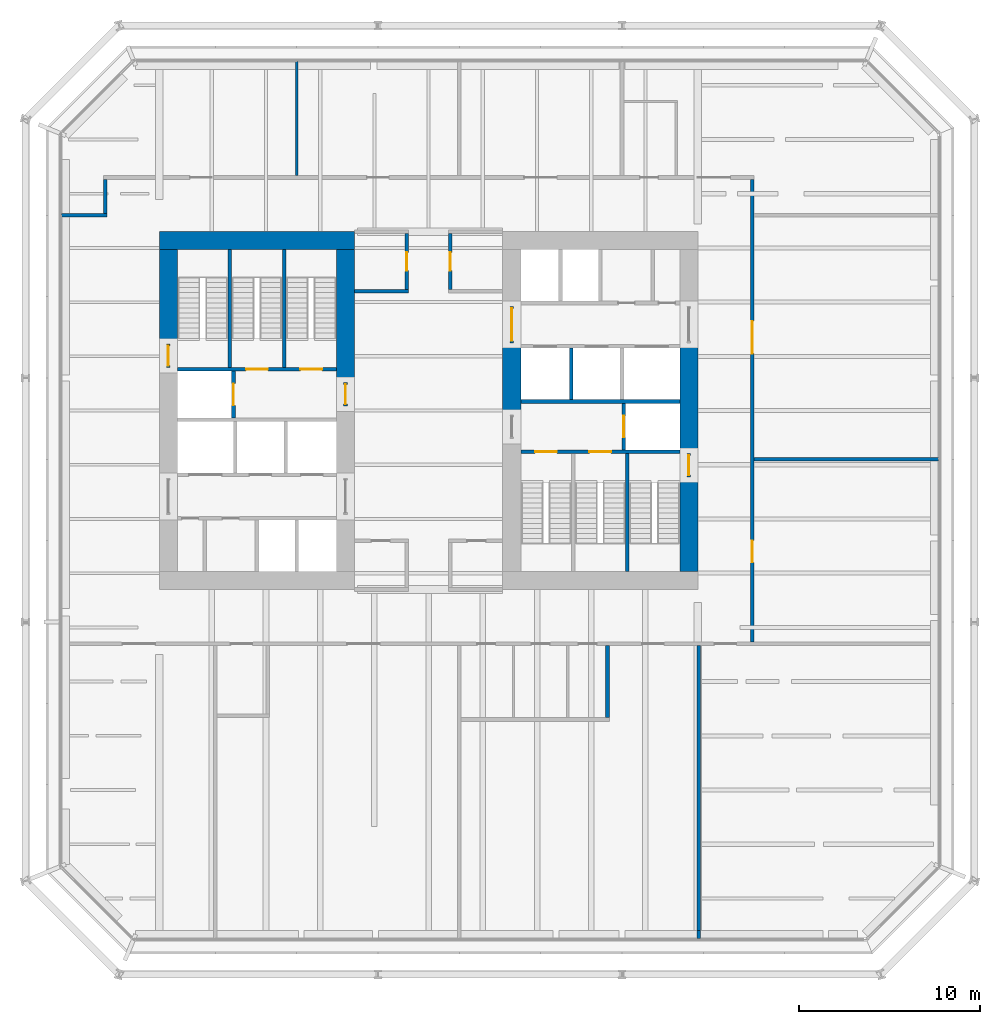
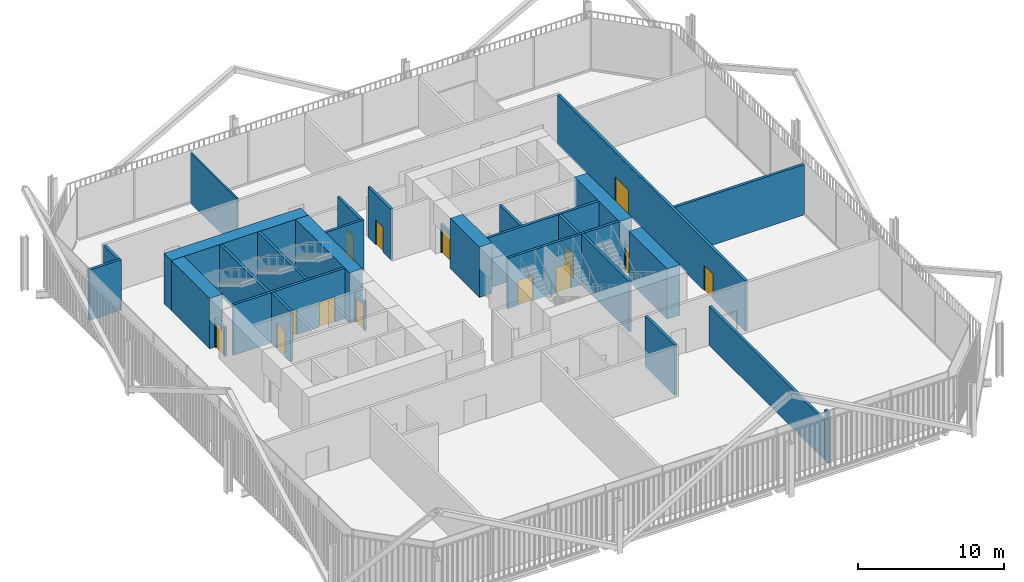
# One storey, part 18 of 21: 30 walls, 14 doors, 14 openings.
"""IFC4 building model written with IfcOpenShell, lengths in metres."""

from ifc_helpers import new_model, si_unit, direction, frame, frame_2d, origin, place, context, subcontext, project, spatial, rectangle, extrude, material, layer, layer_set, type_object, element, fill, save


model = new_model("IFC4")

# Units and contexts
model_context = context("Model", 3, precision=1e-05, world=origin(), true_north=direction((0.0, 1.0)))
body_context = subcontext(model_context, "Body", "Model", "MODEL_VIEW")
ifc_project = project(units=[si_unit("LENGTHUNIT", "METRE"), si_unit("AREAUNIT", "SQUARE_METRE"), si_unit("VOLUMEUNIT", "CUBIC_METRE"), si_unit("PLANEANGLEUNIT", "RADIAN"), si_unit("MASSUNIT", "GRAM", prefix="KILO")], contexts=[model_context])

# Site, building, storey
site_placement = place(None, origin())
site = spatial("IfcSite", under=ifc_project, at=site_placement, CompositionType="ELEMENT")
building_placement = place(site_placement, origin())
building = spatial("IfcBuilding", under=site, at=building_placement, Name="Millrace Tower", CompositionType="ELEMENT")
storey_placement = place(building_placement, frame((0.0, 0.0, 73.199951171875)))
storey = spatial("IfcBuildingStorey", under=building, at=storey_placement, Name="L16", CompositionType="ELEMENT", Elevation=73.199951171875)

# Walls
ifc_material_1 = material(Name="Concrete C80", Category="concrete")
ifc_layer_1 = layer(ifc_material_1, 1.0)
ifc_layer_set_1 = layer_set([ifc_layer_1], Name="Concrete C80")
wall_type_1 = type_object("IfcWallType", Name="Core wall 1000 Concrete C80", PredefinedType="SHEAR", material=ifc_layer_set_1)
wall_1_placement = place(storey_placement, frame((-14.89990234375, 9.39990234375, 0.0), z_axis=(0.0, 0.0, 1.0), x_axis=(1.0, 0.0, 0.0)))
element("IfcWall", 1, at=wall_1_placement, inside=storey, type_object=wall_type_1, Name="Core wall W L16", PredefinedType="SHEAR", context=body_context, shape_type="SweptSolid", body=[
    extrude(rectangle(XDim=10.7998046875, YDim=1.0, at=frame_2d((5.39990234375, 0.0))), origin(), (0.0, 0.0, 1.0), 4.199951171875),
])
wall_2_placement = place(storey_placement, frame((-14.39990234375, 3.679931640625, 0.0), z_axis=(0.0, 0.0, 1.0), x_axis=(0.0, 1.0, 0.0)))
element("IfcWall", 2, at=wall_2_placement, inside=storey, type_object=wall_type_1, Name="Core wall W L16", PredefinedType="SHEAR", context=body_context, shape_type="SweptSolid", body=[
    extrude(rectangle(XDim=5.219970703125, YDim=1.0, at=frame_2d((2.60986328125, 0.0))), origin(), (0.0, 0.0, 1.0), 4.199951171875),
])
wall_3_placement = place(storey_placement, frame((-4.60009765625, 1.550048828125, 0.0), z_axis=(0.0, 0.0, 1.0), x_axis=(0.0, 1.0, 0.0)))
element("IfcWall", 3, at=wall_3_placement, inside=storey, type_object=wall_type_1, Name="Core wall W L16", PredefinedType="SHEAR", context=body_context, shape_type="SweptSolid", body=[
    extrude(rectangle(XDim=7.349853515625, YDim=1.0, at=frame_2d((3.6748046875, 0.0))), origin(), (0.0, 0.0, 1.0), 4.199951171875),
])
wall_4_placement = place(storey_placement, frame((14.39990234375, 3.75, 0.0), z_axis=(0.0, 0.0, 1.0), x_axis=(0.0, -1.0, 0.0)))
element("IfcWall", 4, at=wall_4_placement, inside=storey, type_object=wall_type_1, Name="Core wall E L16", PredefinedType="SHEAR", context=body_context, shape_type="SweptSolid", body=[
    extrude(rectangle(XDim=6.1298828125, YDim=1.0, at=frame_2d((3.06494140625, 0.0))), origin(), (0.0, 0.0, 1.0), 4.199951171875),
])
wall_5_placement = place(storey_placement, frame((14.39990234375, -3.679931640625, 0.0), z_axis=(0.0, 0.0, 1.0), x_axis=(0.0, -1.0, 0.0)))
element("IfcWall", 5, at=wall_5_placement, inside=storey, type_object=wall_type_1, Name="Core wall E L16", PredefinedType="SHEAR", context=body_context, shape_type="SweptSolid", body=[
    extrude(rectangle(XDim=5.219970703125, YDim=1.0, at=frame_2d((2.60986328125, 0.0))), origin(), (0.0, 0.0, 1.0), 4.199951171875),
])
wall_6_placement = place(storey_placement, frame((4.60009765625, 3.75, 0.0), z_axis=(0.0, 0.0, 1.0), x_axis=(0.0, -1.0, 0.0)))
element("IfcWall", 6, at=wall_6_placement, inside=storey, type_object=wall_type_1, Name="Core wall E L16", PredefinedType="SHEAR", context=body_context, shape_type="SweptSolid", body=[
    extrude(rectangle(XDim=4.0, YDim=1.0, at=frame_2d((2.0, 0.0))), origin(), (0.0, 0.0, 1.0), 4.199951171875),
])
ifc_material_2 = material(Name="Masonry partition, fire-rated", Category="masonry")
ifc_layer_2 = layer(ifc_material_2, 0.199951171875)
ifc_layer_set_2 = layer_set([ifc_layer_2], Name="Masonry partition, fire-rated")
wall_type_2 = type_object("IfcWallType", Name="Corridor wall 200", PredefinedType="PARTITIONING", material=ifc_layer_set_2)
wall_7_placement = place(storey_placement, frame((18.0, -2.699951171875, 0.0), z_axis=(0.0, 0.0, 1.0), x_axis=(1.0, 0.0, 0.0)))
element("IfcWall", 7, at=wall_7_placement, inside=storey, type_object=wall_type_2, Name="Corridor wall L16", PredefinedType="PARTITIONING", context=body_context, shape_type="SweptSolid", body=[
    extrude(rectangle(XDim=10.22998046875, YDim=0.199951171875, at=frame_2d((5.114990234375, 0.0))), origin(), (0.0, 0.0, 1.0), 4.199951171875),
])
wall_8_placement = place(storey_placement, frame((-4.10009765625, 6.60009765625, 0.0), z_axis=(0.0, 0.0, 1.0), x_axis=(1.0, 0.0, 0.0)))
element("IfcWall", 8, at=wall_8_placement, inside=storey, type_object=wall_type_2, Name="Corridor wall L16", PredefinedType="PARTITIONING", context=body_context, shape_type="SweptSolid", body=[
    extrude(rectangle(XDim=3.0, YDim=0.199951171875, at=frame_2d((1.5, 0.0))), origin(), (0.0, 0.0, 1.0), 4.199951171875),
])
wall_9_placement = place(storey_placement, frame((-20.330078125, 10.800048828125, 0.0), z_axis=(0.0, 0.0, 1.0), x_axis=(1.0, 0.0, 0.0)))
element("IfcWall", 9, at=wall_9_placement, inside=storey, type_object=wall_type_2, Name="Corridor wall L16", PredefinedType="PARTITIONING", context=body_context, shape_type="SweptSolid", body=[
    extrude(rectangle(XDim=2.530029296875, YDim=0.199951171875, at=frame_2d((1.26513671875, 0.0))), origin(), (0.0, 0.0, 1.0), 4.199951171875),
])

# Wall, openings, doors
wall_10_placement = place(storey_placement, frame((17.89990234375, -12.800048828125, 0.0), z_axis=(0.0, 0.0, 1.0), x_axis=(0.0, 1.0, 0.0)))
wall_10 = element("IfcWall", 10, at=wall_10_placement, inside=storey, type_object=wall_type_2, Name="Corridor wall L16", PredefinedType="PARTITIONING", context=body_context, shape_type="SweptSolid", body=[
    extrude(rectangle(XDim=25.60009765625, YDim=0.199951171875, at=frame_2d((12.800048828125, 0.0))), origin(), (0.0, 0.0, 1.0), 4.199951171875),
])
opening_1_placement = place(wall_10_placement, frame((4.39990234375, 0.0, 0.0)))
opening_1 = element("IfcOpeningElement", 11, at=opening_1_placement, cuts=wall_10, Name="Opening 16-P015", PredefinedType="OPENING", context=body_context, shape_type="SweptSolid", body=[
    extrude(rectangle(XDim=1.199951171875, YDim=2.10009765625, at=frame_2d((0.60009765625, 1.050048828125))), frame((0.0, 0.10986328125, 0.0), z_axis=(0.0, -1.0, 0.0), x_axis=(1.0, 0.0, 0.0)), (0.0, 0.0, 1.0), 0.219970703125),
])
opening_2_placement = place(wall_10_placement, frame((15.949951171875, 0.0, 0.0)))
opening_2 = element("IfcOpeningElement", 12, at=opening_2_placement, cuts=wall_10, Name="Opening 16-P016", PredefinedType="OPENING", context=body_context, shape_type="SweptSolid", body=[
    extrude(rectangle(XDim=1.800048828125, YDim=2.10009765625, at=frame_2d((0.89990234375, 1.050048828125))), frame((0.0, 0.10986328125, 0.0), z_axis=(0.0, -1.0, 0.0), x_axis=(1.0, 0.0, 0.0)), (0.0, 0.0, 1.0), 0.219970703125),
])
ifc_material_3 = material(Name="Steel door set, fire-rated", Category="steel")
door_type_1 = type_object("IfcDoorType", Name="Data hall door 1200 x 2100", OperationType="SINGLE_SWING_LEFT", PredefinedType="DOOR", material=ifc_material_3)
door_1_placement = place(opening_1_placement, frame((1.199951171875, 0.0, 0.0), z_axis=(0.0, 0.0, 1.0), x_axis=(-1.0, 0.0, 0.0)))
door_1 = element("IfcDoor", 13, at=door_1_placement, inside=storey, type_object=door_type_1, Name="Door 16-P015", OperationType="SINGLE_SWING_RIGHT", OverallHeight=2.10009765625, OverallWidth=1.199951171875, PredefinedType="DOOR", context=body_context, shape_type="SweptSolid", body=[
    extrude(rectangle(XDim=1.199951171875, YDim=2.10009765625, at=frame_2d((0.60009765625, 1.050048828125))), frame((0.0, 0.02490234375, 0.0), z_axis=(0.0, -1.0, 0.0), x_axis=(1.0, 0.0, 0.0)), (0.0, 0.0, 1.0), 0.050048828125),
])
fill(opening_1, door_1)
ifc_material_4 = material(Name="Steel door set, fire-rated", Category="steel")
door_type_2 = type_object("IfcDoorType", Name="Data hall door 1800 x 2100", OperationType="DOUBLE_DOOR_SINGLE_SWING", PredefinedType="DOOR", material=ifc_material_4)
door_2_placement = place(opening_2_placement, frame((1.800048828125, 0.0, 0.0), z_axis=(0.0, 0.0, 1.0), x_axis=(-1.0, 0.0, 0.0)))
door_2 = element("IfcDoor", 14, at=door_2_placement, inside=storey, type_object=door_type_2, Name="Door 16-P016", OperationType="DOUBLE_DOOR_SINGLE_SWING", OverallHeight=2.10009765625, OverallWidth=1.800048828125, PredefinedType="DOOR", context=body_context, shape_type="SweptSolid", body=[
    extrude(rectangle(XDim=1.800048828125, YDim=2.10009765625, at=frame_2d((0.89990234375, 1.050048828125))), frame((0.0, 0.02490234375, 0.0), z_axis=(0.0, -1.0, 0.0), x_axis=(1.0, 0.0, 0.0)), (0.0, 0.0, 1.0), 0.050048828125),
])
fill(opening_2, door_2)

# Walls
wall_11_placement = place(storey_placement, frame((14.93994140625, -29.22998046875, 0.0), z_axis=(0.0, 0.0, 1.0), x_axis=(0.0, 1.0, 0.0)))
element("IfcWall", 15, at=wall_11_placement, inside=storey, type_object=wall_type_2, Name="Corridor wall L16", PredefinedType="PARTITIONING", context=body_context, shape_type="SweptSolid", body=[
    extrude(rectangle(XDim=0.448974609375, YDim=0.199951171875, at=frame_2d((0.224609375, 0.0))), origin(), (0.0, 0.0, 1.0), 4.199951171875),
])
wall_12_placement = place(storey_placement, frame((14.93994140625, -28.781005859375, 0.0), z_axis=(0.0, 0.0, 1.0), x_axis=(0.0, 1.0, 0.0)))
element("IfcWall", 16, at=wall_12_placement, inside=storey, type_object=wall_type_2, Name="Corridor wall L16", PredefinedType="PARTITIONING", context=body_context, shape_type="SweptSolid", body=[
    extrude(rectangle(XDim=15.781005859375, YDim=0.199951171875, at=frame_2d((7.890625, 0.0))), origin(), (0.0, 0.0, 1.0), 3.252685546875),
])
wall_13_placement = place(storey_placement, frame((9.89990234375, -17.0, 0.0), z_axis=(0.0, 0.0, 1.0), x_axis=(0.0, 1.0, 0.0)))
element("IfcWall", 17, at=wall_13_placement, inside=storey, type_object=wall_type_2, Name="Corridor wall L16", PredefinedType="PARTITIONING", context=body_context, shape_type="SweptSolid", body=[
    extrude(rectangle(XDim=4.0, YDim=0.199951171875, at=frame_2d((2.0, 0.0))), origin(), (0.0, 0.0, 1.0), 4.199951171875),
])

# Wall, opening, door
wall_14_placement = place(storey_placement, frame((1.199951171875, 6.699951171875, 0.0), z_axis=(0.0, 0.0, 1.0), x_axis=(0.0, 1.0, 0.0)))
wall_14 = element("IfcWall", 18, at=wall_14_placement, inside=storey, type_object=wall_type_2, Name="Corridor wall L16", PredefinedType="PARTITIONING", context=body_context, shape_type="SweptSolid", body=[
    extrude(rectangle(XDim=3.10009765625, YDim=0.199951171875, at=frame_2d((1.550048828125, 0.0))), origin(), (0.0, 0.0, 1.0), 4.199951171875),
])
opening_3_placement = place(wall_14_placement, frame((1.050048828125, 0.0, 0.0)))
opening_3 = element("IfcOpeningElement", 19, at=opening_3_placement, cuts=wall_14, Name="Opening 16-P002", PredefinedType="OPENING", context=body_context, shape_type="SweptSolid", body=[
    extrude(rectangle(XDim=1.0, YDim=2.10009765625, at=frame_2d((0.5, 1.050048828125))), frame((0.0, 0.10986328125, 0.0), z_axis=(0.0, -1.0, 0.0), x_axis=(1.0, 0.0, 0.0)), (0.0, 0.0, 1.0), 0.219970703125),
])
ifc_material_5 = material(Name="Steel door set, fire-rated", Category="steel")
door_type_3 = type_object("IfcDoorType", Name="Corridor door 1000 x 2100", OperationType="SINGLE_SWING_LEFT", PredefinedType="DOOR", material=ifc_material_5)
door_3_placement = place(opening_3_placement, frame((1.0, 0.0, 0.0), z_axis=(0.0, 0.0, 1.0), x_axis=(-1.0, 0.0, 0.0)))
door_3 = element("IfcDoor", 20, at=door_3_placement, inside=storey, type_object=door_type_3, Name="Door 16-P002", OperationType="SINGLE_SWING_LEFT", OverallHeight=2.10009765625, OverallWidth=1.0, PredefinedType="DOOR", context=body_context, shape_type="SweptSolid", body=[
    extrude(rectangle(XDim=1.0, YDim=2.10009765625, at=frame_2d((0.5, 1.050048828125))), frame((0.0, 0.02490234375, 0.0), z_axis=(0.0, -1.0, 0.0), x_axis=(1.0, 0.0, 0.0)), (0.0, 0.0, 1.0), 0.050048828125),
])
fill(opening_3, door_3)

wall_15_placement = place(storey_placement, frame((-1.199951171875, 6.699951171875, 0.0), z_axis=(0.0, 0.0, 1.0), x_axis=(0.0, 1.0, 0.0)))
wall_15 = element("IfcWall", 21, at=wall_15_placement, inside=storey, type_object=wall_type_2, Name="Corridor wall L16", PredefinedType="PARTITIONING", context=body_context, shape_type="SweptSolid", body=[
    extrude(rectangle(XDim=3.10009765625, YDim=0.199951171875, at=frame_2d((1.550048828125, 0.0))), origin(), (0.0, 0.0, 1.0), 4.199951171875),
])
opening_4_placement = place(wall_15_placement, frame((1.050048828125, 0.0, 0.0)))
opening_4 = element("IfcOpeningElement", 22, at=opening_4_placement, cuts=wall_15, Name="Opening 16-P001", PredefinedType="OPENING", context=body_context, shape_type="SweptSolid", body=[
    extrude(rectangle(XDim=1.0, YDim=2.10009765625, at=frame_2d((0.5, 1.050048828125))), frame((0.0, 0.10986328125, 0.0), z_axis=(0.0, -1.0, 0.0), x_axis=(1.0, 0.0, 0.0)), (0.0, 0.0, 1.0), 0.219970703125),
])
door_4_placement = place(opening_4_placement, origin())
door_4 = element("IfcDoor", 23, at=door_4_placement, inside=storey, type_object=door_type_3, Name="Door 16-P001", OperationType="SINGLE_SWING_RIGHT", OverallHeight=2.10009765625, OverallWidth=1.0, PredefinedType="DOOR", context=body_context, shape_type="SweptSolid", body=[
    extrude(rectangle(XDim=1.0, YDim=2.10009765625, at=frame_2d((0.5, 1.050048828125))), frame((0.0, 0.02490234375, 0.0), z_axis=(0.0, -1.0, 0.0), x_axis=(1.0, 0.0, 0.0)), (0.0, 0.0, 1.0), 0.050048828125),
])
fill(opening_4, door_4)

# Wall
wall_16_placement = place(storey_placement, frame((-17.89990234375, 10.89990234375, 0.0), z_axis=(0.0, 0.0, 1.0), x_axis=(0.0, 1.0, 0.0)))
element("IfcWall", 24, at=wall_16_placement, inside=storey, type_object=wall_type_2, Name="Corridor wall L16", PredefinedType="PARTITIONING", context=body_context, shape_type="SweptSolid", body=[
    extrude(rectangle(XDim=1.900146484375, YDim=0.199951171875, at=frame_2d((0.9501953125, 0.0))), origin(), (0.0, 0.0, 1.0), 4.199951171875),
])

# Wall, opening, door
ifc_material_6 = material(Name="Masonry partition, fire-rated", Category="masonry")
ifc_layer_3 = layer(ifc_material_6, 0.199951171875)
ifc_layer_set_3 = layer_set([ifc_layer_3], Name="Masonry partition, fire-rated")
wall_type_3 = type_object("IfcWallType", Name="Lift shaft wall 200", PredefinedType="PARTITIONING", material=ifc_layer_set_3)
wall_17_placement = place(storey_placement, frame((-10.800048828125, -0.39990234375, 0.0), z_axis=(0.0, 0.0, 1.0), x_axis=(0.0, 1.0, 0.0)))
wall_17 = element("IfcWall", 25, at=wall_17_placement, inside=storey, type_object=wall_type_3, Name="Lift shaft wall W L16", PredefinedType="PARTITIONING", context=body_context, shape_type="SweptSolid", body=[
    extrude(rectangle(XDim=2.579833984375, YDim=0.199951171875, at=frame_2d((1.2900390625, 0.0))), origin(), (0.0, 0.0, 1.0), 4.199951171875),
])
opening_5_placement = place(wall_17_placement, frame((0.68994140625, 0.0, 0.0)))
opening_5 = element("IfcOpeningElement", 26, at=opening_5_placement, cuts=wall_17, Name="Opening 16-LD08", PredefinedType="OPENING", context=body_context, shape_type="SweptSolid", body=[
    extrude(rectangle(XDim=1.199951171875, YDim=2.10009765625, at=frame_2d((0.60009765625, 1.050048828125))), frame((0.0, 0.10986328125, 0.0), z_axis=(0.0, -1.0, 0.0), x_axis=(1.0, 0.0, 0.0)), (0.0, 0.0, 1.0), 0.219970703125),
])
ifc_material_7 = material(Name="Stainless steel, fire-rated", Category="steel")
door_type_4 = type_object("IfcDoorType", Name="Lift landing door 1200 x 2100", OperationType="DOUBLE_DOOR_SLIDING", PredefinedType="DOOR", material=ifc_material_7)
door_5_placement = place(opening_5_placement, origin())
door_5 = element("IfcDoor", 27, at=door_5_placement, inside=storey, type_object=door_type_4, Name="Lift landing door LF8 L16", OperationType="DOUBLE_DOOR_SLIDING", OverallHeight=2.10009765625, OverallWidth=1.199951171875, PredefinedType="DOOR", context=body_context, shape_type="SweptSolid", body=[
    extrude(rectangle(XDim=1.199951171875, YDim=2.10009765625, at=frame_2d((0.60009765625, 1.050048828125))), frame((0.0, 0.02490234375, 0.0), z_axis=(0.0, -1.0, 0.0), x_axis=(1.0, 0.0, 0.0)), (0.0, 0.0, 1.0), 0.050048828125),
])
fill(opening_5, door_5)

# Wall
wall_18_placement = place(storey_placement, frame((13.89990234375, 0.5, 0.0), z_axis=(0.0, 0.0, 1.0), x_axis=(-1.0, 0.0, 0.0)))
element("IfcWall", 28, at=wall_18_placement, inside=storey, type_object=wall_type_3, Name="Lift shaft wall E L16", PredefinedType="PARTITIONING", context=body_context, shape_type="SweptSolid", body=[
    extrude(rectangle(XDim=8.7998046875, YDim=0.199951171875, at=frame_2d((4.39990234375, 0.0))), origin(), (0.0, 0.0, 1.0), 4.199951171875),
])

# Wall, opening, door
wall_19_placement = place(storey_placement, frame((10.800048828125, 0.39990234375, 0.0), z_axis=(0.0, 0.0, 1.0), x_axis=(0.0, -1.0, 0.0)))
wall_19 = element("IfcWall", 29, at=wall_19_placement, inside=storey, type_object=wall_type_3, Name="Lift shaft wall E L16", PredefinedType="PARTITIONING", context=body_context, shape_type="SweptSolid", body=[
    extrude(rectangle(XDim=2.579833984375, YDim=0.199951171875, at=frame_2d((1.2900390625, 0.0))), origin(), (0.0, 0.0, 1.0), 4.199951171875),
])
opening_6_placement = place(wall_19_placement, frame((0.68994140625, 0.0, 0.0)))
opening_6 = element("IfcOpeningElement", 30, at=opening_6_placement, cuts=wall_19, Name="Opening 16-LD16", PredefinedType="OPENING", context=body_context, shape_type="SweptSolid", body=[
    extrude(rectangle(XDim=1.199951171875, YDim=2.10009765625, at=frame_2d((0.60009765625, 1.050048828125))), frame((0.0, 0.10986328125, 0.0), z_axis=(0.0, -1.0, 0.0), x_axis=(1.0, 0.0, 0.0)), (0.0, 0.0, 1.0), 0.219970703125),
])
door_6_placement = place(opening_6_placement, origin())
door_6 = element("IfcDoor", 31, at=door_6_placement, inside=storey, type_object=door_type_4, Name="Lift landing door LF16 L16", OperationType="DOUBLE_DOOR_SLIDING", OverallHeight=2.10009765625, OverallWidth=1.199951171875, PredefinedType="DOOR", context=body_context, shape_type="SweptSolid", body=[
    extrude(rectangle(XDim=1.199951171875, YDim=2.10009765625, at=frame_2d((0.60009765625, 1.050048828125))), frame((0.0, 0.02490234375, 0.0), z_axis=(0.0, -1.0, 0.0), x_axis=(1.0, 0.0, 0.0)), (0.0, 0.0, 1.0), 0.050048828125),
])
fill(opening_6, door_6)

# Wall
wall_20_placement = place(storey_placement, frame((7.89990234375, 3.449951171875, 0.0), z_axis=(0.0, 0.0, 1.0), x_axis=(0.0, -1.0, 0.0)))
element("IfcWall", 32, at=wall_20_placement, inside=storey, type_object=wall_type_3, Name="Lift shaft wall E L16", PredefinedType="PARTITIONING", context=body_context, shape_type="SweptSolid", body=[
    extrude(rectangle(XDim=2.849853515625, YDim=0.199951171875, at=frame_2d((1.4248046875, 0.0))), origin(), (0.0, 0.0, 1.0), 4.199951171875),
])

# Wall, opening, door
ifc_material_8 = material(Name="Masonry partition, fire-rated", Category="masonry")
ifc_layer_4 = layer(ifc_material_8, 0.199951171875)
ifc_layer_set_4 = layer_set([ifc_layer_4], Name="Masonry partition, fire-rated")
wall_type_4 = type_object("IfcWallType", Name="Lobby wall 200", PredefinedType="PARTITIONING", material=ifc_layer_set_4)
wall_21_placement = place(storey_placement, frame((-4.60009765625, 0.25, 0.0), z_axis=(0.0, 0.0, 1.0), x_axis=(0.0, 1.0, 0.0)))
wall_21 = element("IfcWall", 33, at=wall_21_placement, inside=storey, type_object=wall_type_4, Name="Lobby wall W L16", PredefinedType="PARTITIONING", context=body_context, shape_type="SweptSolid", body=[
    extrude(rectangle(XDim=1.300048828125, YDim=0.199951171875, at=frame_2d((0.64990234375, 0.0))), origin(), (0.0, 0.0, 1.0), 2.400146484375),
])
opening_7_placement = place(wall_21_placement, frame((0.10009765625, 0.0, 0.0)))
opening_7 = element("IfcOpeningElement", 34, at=opening_7_placement, cuts=wall_21, Name="Opening 16-C004", PredefinedType="OPENING", context=body_context, shape_type="SweptSolid", body=[
    extrude(rectangle(XDim=1.10009765625, YDim=2.10009765625, at=frame_2d((0.550048828125, 1.050048828125))), frame((0.0, 0.10986328125, 0.0), z_axis=(0.0, -1.0, 0.0), x_axis=(1.0, 0.0, 0.0)), (0.0, 0.0, 1.0), 0.219970703125),
])
ifc_material_9 = material(Name="Steel door, fire-rated", Category="steel")
door_type_5 = type_object("IfcDoorType", Name="Lobby door 1100 x 2100", OperationType="SINGLE_SWING_LEFT", PredefinedType="DOOR", material=ifc_material_9)
door_7_placement = place(opening_7_placement, origin())
door_7 = element("IfcDoor", 35, at=door_7_placement, inside=storey, type_object=door_type_5, Name="Lobby door 16-C004", OperationType="SINGLE_SWING_RIGHT", OverallHeight=2.10009765625, OverallWidth=1.10009765625, PredefinedType="DOOR", context=body_context, shape_type="SweptSolid", body=[
    extrude(rectangle(XDim=1.10009765625, YDim=2.10009765625, at=frame_2d((0.550048828125, 1.050048828125))), frame((0.0, 0.02490234375, 0.0), z_axis=(0.0, -1.0, 0.0), x_axis=(1.0, 0.0, 0.0)), (0.0, 0.0, 1.0), 0.050048828125),
])
fill(opening_7, door_7)

wall_22_placement = place(storey_placement, frame((4.60009765625, 5.75, 0.0), z_axis=(0.0, 0.0, 1.0), x_axis=(0.0, -1.0, 0.0)))
wall_22 = element("IfcWall", 36, at=wall_22_placement, inside=storey, type_object=wall_type_4, Name="Lobby wall E L16", PredefinedType="PARTITIONING", context=body_context, shape_type="SweptSolid", body=[
    extrude(rectangle(XDim=2.0, YDim=0.199951171875, at=frame_2d((1.0, 0.0))), origin(), (0.0, 0.0, 1.0), 2.400146484375),
])
opening_8_placement = place(wall_22_placement, frame((0.10009765625, 0.0, 0.0)))
opening_8 = element("IfcOpeningElement", 37, at=opening_8_placement, cuts=wall_22, Name="Opening 16-C011", PredefinedType="OPENING", context=body_context, shape_type="SweptSolid", body=[
    extrude(rectangle(XDim=1.800048828125, YDim=2.10009765625, at=frame_2d((0.89990234375, 1.050048828125))), frame((0.0, 0.10986328125, 0.0), z_axis=(0.0, -1.0, 0.0), x_axis=(1.0, 0.0, 0.0)), (0.0, 0.0, 1.0), 0.219970703125),
])
ifc_material_10 = material(Name="Steel door, fire-rated", Category="steel")
door_type_6 = type_object("IfcDoorType", Name="Lobby door 1800 x 2100", OperationType="DOUBLE_DOOR_SINGLE_SWING", PredefinedType="DOOR", material=ifc_material_10)
door_8_placement = place(opening_8_placement, origin())
door_8 = element("IfcDoor", 38, at=door_8_placement, inside=storey, type_object=door_type_6, Name="Lobby door 16-C011", OperationType="DOUBLE_DOOR_SINGLE_SWING", OverallHeight=2.10009765625, OverallWidth=1.800048828125, PredefinedType="DOOR", context=body_context, shape_type="SweptSolid", body=[
    extrude(rectangle(XDim=1.800048828125, YDim=2.10009765625, at=frame_2d((0.89990234375, 1.050048828125))), frame((0.0, 0.02490234375, 0.0), z_axis=(0.0, -1.0, 0.0), x_axis=(1.0, 0.0, 0.0)), (0.0, 0.0, 1.0), 0.050048828125),
])
fill(opening_8, door_8)

# Wall
ifc_material_11 = material(Name="Gypsum board partition")
ifc_layer_5 = layer(ifc_material_11, 0.1201171875)
ifc_layer_set_5 = layer_set([ifc_layer_5], Name="Gypsum board partition")
wall_type_5 = type_object("IfcWallType", Name="Partition wall 120", PredefinedType="PARTITIONING", material=ifc_layer_set_5)
wall_23_placement = place(storey_placement, frame((-7.300048828125, 13.0, 0.0), z_axis=(0.0, 0.0, 1.0), x_axis=(0.0, 1.0, 0.0)))
element("IfcWall", 39, at=wall_23_placement, inside=storey, type_object=wall_type_5, Name="Partition wall L16", PredefinedType="PARTITIONING", context=body_context, shape_type="SweptSolid", body=[
    extrude(rectangle(XDim=6.330078125, YDim=0.1201171875, at=frame_2d((3.1650390625, 0.0))), origin(), (0.0, 0.0, 1.0), 4.199951171875),
])

# Wall, opening, door
ifc_material_12 = material(Name="Concrete C40", Category="concrete")
ifc_layer_6 = layer(ifc_material_12, 0.199951171875)
ifc_layer_set_6 = layer_set([ifc_layer_6], Name="Concrete C40")
wall_type_6 = type_object("IfcWallType", Name="Stair enclosure wall 200 Concrete C40", PredefinedType="SHEAR", material=ifc_layer_set_6)
wall_24_placement = place(storey_placement, frame((-14.39990234375, 2.3798828125, 0.0), z_axis=(0.0, 0.0, 1.0), x_axis=(0.0, 1.0, 0.0)))
wall_24 = element("IfcWall", 40, at=wall_24_placement, inside=storey, type_object=wall_type_6, Name="Stair enclosure wall W L16", PredefinedType="SHEAR", context=body_context, shape_type="SweptSolid", body=[
    extrude(rectangle(XDim=1.300048828125, YDim=0.199951171875, at=frame_2d((0.64990234375, 0.0))), origin(), (0.0, 0.0, 1.0), 2.400146484375),
])
opening_9_placement = place(wall_24_placement, frame((0.10009765625, 0.0, 0.0)))
opening_9 = element("IfcOpeningElement", 41, at=opening_9_placement, cuts=wall_24, Name="Opening 16-C002", PredefinedType="OPENING", context=body_context, shape_type="SweptSolid", body=[
    extrude(rectangle(XDim=1.10009765625, YDim=2.10009765625, at=frame_2d((0.550048828125, 1.050048828125))), frame((0.0, 0.10986328125, 0.0), z_axis=(0.0, -1.0, 0.0), x_axis=(1.0, 0.0, 0.0)), (0.0, 0.0, 1.0), 0.219970703125),
])
ifc_material_13 = material(Name="Steel door, fire-rated", Category="steel")
door_type_7 = type_object("IfcDoorType", Name="Stair door 1100 x 2100", OperationType="SINGLE_SWING_LEFT", PredefinedType="DOOR", material=ifc_material_13)
door_9_placement = place(opening_9_placement, origin())
door_9 = element("IfcDoor", 42, at=door_9_placement, inside=storey, type_object=door_type_7, Name="Stair door 16-C002", OperationType="SINGLE_SWING_LEFT", OverallHeight=2.10009765625, OverallWidth=1.10009765625, PredefinedType="DOOR", context=body_context, shape_type="SweptSolid", body=[
    extrude(rectangle(XDim=1.10009765625, YDim=2.10009765625, at=frame_2d((0.550048828125, 1.050048828125))), frame((0.0, 0.02490234375, 0.0), z_axis=(0.0, -1.0, 0.0), x_axis=(1.0, 0.0, 0.0)), (0.0, 0.0, 1.0), 0.050048828125),
])
fill(opening_9, door_9)

# Wall, openings, doors
wall_25_placement = place(storey_placement, frame((-13.89990234375, 2.280029296875, 0.0), z_axis=(0.0, 0.0, 1.0), x_axis=(1.0, 0.0, 0.0)))
wall_25 = element("IfcWall", 43, at=wall_25_placement, inside=storey, type_object=wall_type_6, Name="Stair enclosure wall W L16", PredefinedType="SHEAR", context=body_context, shape_type="SweptSolid", body=[
    extrude(rectangle(XDim=8.7998046875, YDim=0.199951171875, at=frame_2d((4.39990234375, 0.0))), origin(), (0.0, 0.0, 1.0), 4.199951171875),
])
opening_10_placement = place(wall_25_placement, frame((3.800048828125, 0.0, 0.0)))
opening_10 = element("IfcOpeningElement", 44, at=opening_10_placement, cuts=wall_25, Name="Opening 16-C007", PredefinedType="OPENING", context=body_context, shape_type="SweptSolid", body=[
    extrude(rectangle(XDim=1.199951171875, YDim=2.10009765625, at=frame_2d((0.60009765625, 1.050048828125))), frame((0.0, 0.10986328125, 0.0), z_axis=(0.0, -1.0, 0.0), x_axis=(1.0, 0.0, 0.0)), (0.0, 0.0, 1.0), 0.219970703125),
])
opening_11_placement = place(wall_25_placement, frame((6.800048828125, 0.0, 0.0)))
opening_11 = element("IfcOpeningElement", 45, at=opening_11_placement, cuts=wall_25, Name="Opening 16-C008", PredefinedType="OPENING", context=body_context, shape_type="SweptSolid", body=[
    extrude(rectangle(XDim=1.199951171875, YDim=2.10009765625, at=frame_2d((0.60009765625, 1.050048828125))), frame((0.0, 0.10986328125, 0.0), z_axis=(0.0, -1.0, 0.0), x_axis=(1.0, 0.0, 0.0)), (0.0, 0.0, 1.0), 0.219970703125),
])
ifc_material_14 = material(Name="Steel door, fire-rated", Category="steel")
door_type_8 = type_object("IfcDoorType", Name="Stair door 1200 x 2100", OperationType="SINGLE_SWING_LEFT", PredefinedType="DOOR", material=ifc_material_14)
door_10_placement = place(opening_10_placement, frame((1.199951171875, 0.0, 0.0), z_axis=(0.0, 0.0, 1.0), x_axis=(-1.0, 0.0, 0.0)))
door_10 = element("IfcDoor", 46, at=door_10_placement, inside=storey, type_object=door_type_8, Name="Stair door 16-C007", OperationType="SINGLE_SWING_RIGHT", OverallHeight=2.10009765625, OverallWidth=1.199951171875, PredefinedType="DOOR", context=body_context, shape_type="SweptSolid", body=[
    extrude(rectangle(XDim=1.199951171875, YDim=2.10009765625, at=frame_2d((0.60009765625, 1.050048828125))), frame((0.0, 0.02490234375, 0.0), z_axis=(0.0, -1.0, 0.0), x_axis=(1.0, 0.0, 0.0)), (0.0, 0.0, 1.0), 0.050048828125),
])
fill(opening_10, door_10)
door_11_placement = place(opening_11_placement, frame((1.199951171875, 0.0, 0.0), z_axis=(0.0, 0.0, 1.0), x_axis=(-1.0, 0.0, 0.0)))
door_11 = element("IfcDoor", 47, at=door_11_placement, inside=storey, type_object=door_type_8, Name="Stair door 16-C008", OperationType="SINGLE_SWING_LEFT", OverallHeight=2.10009765625, OverallWidth=1.199951171875, PredefinedType="DOOR", context=body_context, shape_type="SweptSolid", body=[
    extrude(rectangle(XDim=1.199951171875, YDim=2.10009765625, at=frame_2d((0.60009765625, 1.050048828125))), frame((0.0, 0.02490234375, 0.0), z_axis=(0.0, -1.0, 0.0), x_axis=(1.0, 0.0, 0.0)), (0.0, 0.0, 1.0), 0.050048828125),
])
fill(opening_11, door_11)

# Walls
for number, where, z_axis, x_axis, name in (
    (48, (-11.0, 2.3798828125, 0.0), (0.0, 0.0, 1.0), (0.0, 1.0, 0.0), "Stair enclosure wall W L16"),
    (49, (-8.0, 2.3798828125, 0.0), (0.0, 0.0, 1.0), (0.0, 1.0, 0.0), "Stair enclosure wall W L16"),
):
    element("IfcWall", number, at=place(storey_placement, frame(where, z_axis=z_axis, x_axis=x_axis)), inside=storey, type_object=wall_type_6, Name=name, PredefinedType="SHEAR", context=body_context, shape_type="SweptSolid", body=[
        extrude(rectangle(XDim=6.52001953125, YDim=0.199951171875, at=frame_2d((3.260009765625, 0.0))), origin(), (0.0, 0.0, 1.0), 4.199951171875),
    ])

# Wall, opening, door
wall_26_placement = place(storey_placement, frame((14.39990234375, -2.3798828125, 0.0), z_axis=(0.0, 0.0, 1.0), x_axis=(0.0, -1.0, 0.0)))
wall_26 = element("IfcWall", 50, at=wall_26_placement, inside=storey, type_object=wall_type_6, Name="Stair enclosure wall E L16", PredefinedType="SHEAR", context=body_context, shape_type="SweptSolid", body=[
    extrude(rectangle(XDim=1.300048828125, YDim=0.199951171875, at=frame_2d((0.64990234375, 0.0))), origin(), (0.0, 0.0, 1.0), 2.400146484375),
])
opening_12_placement = place(wall_26_placement, frame((0.10009765625, 0.0, 0.0)))
opening_12 = element("IfcOpeningElement", 51, at=opening_12_placement, cuts=wall_26, Name="Opening 16-C010", PredefinedType="OPENING", context=body_context, shape_type="SweptSolid", body=[
    extrude(rectangle(XDim=1.10009765625, YDim=2.10009765625, at=frame_2d((0.550048828125, 1.050048828125))), frame((0.0, 0.10986328125, 0.0), z_axis=(0.0, -1.0, 0.0), x_axis=(1.0, 0.0, 0.0)), (0.0, 0.0, 1.0), 0.219970703125),
])
door_12_placement = place(opening_12_placement, origin())
door_12 = element("IfcDoor", 52, at=door_12_placement, inside=storey, type_object=door_type_7, Name="Stair door 16-C010", OperationType="SINGLE_SWING_LEFT", OverallHeight=2.10009765625, OverallWidth=1.10009765625, PredefinedType="DOOR", context=body_context, shape_type="SweptSolid", body=[
    extrude(rectangle(XDim=1.10009765625, YDim=2.10009765625, at=frame_2d((0.550048828125, 1.050048828125))), frame((0.0, 0.02490234375, 0.0), z_axis=(0.0, -1.0, 0.0), x_axis=(1.0, 0.0, 0.0)), (0.0, 0.0, 1.0), 0.050048828125),
])
fill(opening_12, door_12)

# Wall, openings, doors
wall_27_placement = place(storey_placement, frame((13.89990234375, -2.280029296875, 0.0), z_axis=(0.0, 0.0, 1.0), x_axis=(-1.0, 0.0, 0.0)))
wall_27 = element("IfcWall", 53, at=wall_27_placement, inside=storey, type_object=wall_type_6, Name="Stair enclosure wall E L16", PredefinedType="SHEAR", context=body_context, shape_type="SweptSolid", body=[
    extrude(rectangle(XDim=8.7998046875, YDim=0.199951171875, at=frame_2d((4.39990234375, 0.0))), origin(), (0.0, 0.0, 1.0), 4.199951171875),
])
opening_13_placement = place(wall_27_placement, frame((3.800048828125, 0.0, 0.0)))
opening_13 = element("IfcOpeningElement", 54, at=opening_13_placement, cuts=wall_27, Name="Opening 16-C015", PredefinedType="OPENING", context=body_context, shape_type="SweptSolid", body=[
    extrude(rectangle(XDim=1.199951171875, YDim=2.10009765625, at=frame_2d((0.60009765625, 1.050048828125))), frame((0.0, 0.10986328125, 0.0), z_axis=(0.0, -1.0, 0.0), x_axis=(1.0, 0.0, 0.0)), (0.0, 0.0, 1.0), 0.219970703125),
])
opening_14_placement = place(wall_27_placement, frame((6.800048828125, 0.0, 0.0)))
opening_14 = element("IfcOpeningElement", 55, at=opening_14_placement, cuts=wall_27, Name="Opening 16-C016", PredefinedType="OPENING", context=body_context, shape_type="SweptSolid", body=[
    extrude(rectangle(XDim=1.199951171875, YDim=2.10009765625, at=frame_2d((0.60009765625, 1.050048828125))), frame((0.0, 0.10986328125, 0.0), z_axis=(0.0, -1.0, 0.0), x_axis=(1.0, 0.0, 0.0)), (0.0, 0.0, 1.0), 0.219970703125),
])
door_13_placement = place(opening_13_placement, frame((1.199951171875, 0.0, 0.0), z_axis=(0.0, 0.0, 1.0), x_axis=(-1.0, 0.0, 0.0)))
door_13 = element("IfcDoor", 56, at=door_13_placement, inside=storey, type_object=door_type_8, Name="Stair door 16-C015", OperationType="SINGLE_SWING_RIGHT", OverallHeight=2.10009765625, OverallWidth=1.199951171875, PredefinedType="DOOR", context=body_context, shape_type="SweptSolid", body=[
    extrude(rectangle(XDim=1.199951171875, YDim=2.10009765625, at=frame_2d((0.60009765625, 1.050048828125))), frame((0.0, 0.02490234375, 0.0), z_axis=(0.0, -1.0, 0.0), x_axis=(1.0, 0.0, 0.0)), (0.0, 0.0, 1.0), 0.050048828125),
])
fill(opening_13, door_13)
door_14_placement = place(opening_14_placement, frame((1.199951171875, 0.0, 0.0), z_axis=(0.0, 0.0, 1.0), x_axis=(-1.0, 0.0, 0.0)))
door_14 = element("IfcDoor", 57, at=door_14_placement, inside=storey, type_object=door_type_8, Name="Stair door 16-C016", OperationType="SINGLE_SWING_LEFT", OverallHeight=2.10009765625, OverallWidth=1.199951171875, PredefinedType="DOOR", context=body_context, shape_type="SweptSolid", body=[
    extrude(rectangle(XDim=1.199951171875, YDim=2.10009765625, at=frame_2d((0.60009765625, 1.050048828125))), frame((0.0, 0.02490234375, 0.0), z_axis=(0.0, -1.0, 0.0), x_axis=(1.0, 0.0, 0.0)), (0.0, 0.0, 1.0), 0.050048828125),
])
fill(opening_14, door_14)

# Wall
wall_28_placement = place(storey_placement, frame((11.0, -2.3798828125, 0.0), z_axis=(0.0, 0.0, 1.0), x_axis=(0.0, -1.0, 0.0)))
element("IfcWall", 58, at=wall_28_placement, inside=storey, type_object=wall_type_6, Name="Stair enclosure wall E L16", PredefinedType="SHEAR", context=body_context, shape_type="SweptSolid", body=[
    extrude(rectangle(XDim=6.52001953125, YDim=0.199951171875, at=frame_2d((3.260009765625, 0.0))), origin(), (0.0, 0.0, 1.0), 4.199951171875),
])

save(model, "model.ifc")
